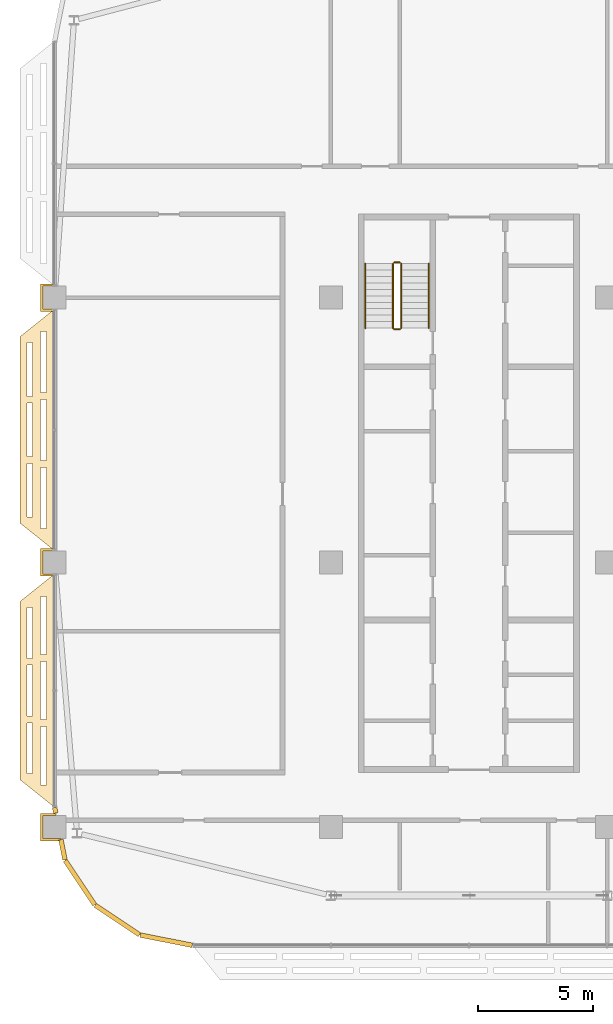
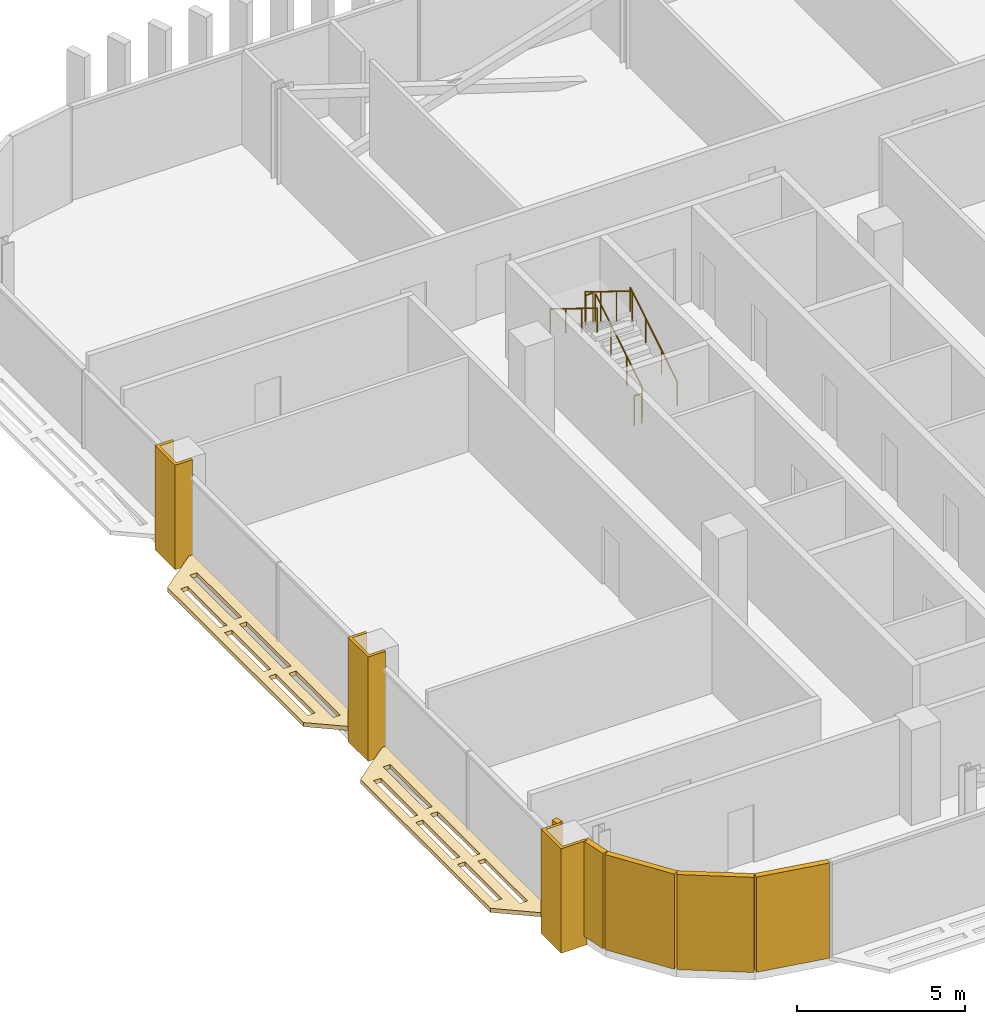
# One storey, part 26 of 32: 10 coverings, 6 railings.
"""IFC4 building model written with IfcOpenShell, lengths in metres."""

import ifcopenshell
import ifcopenshell.guid

model = None  # the IFC model being written
_history = None  # IfcOwnerHistory: only IFC2X3 demands one
_inside = {}  # id of a spatial element -> (the spatial element, [elements in it])
_under = {}  # id of a project, library or spatial element -> (it, [spatial elements below it])
_declared = {}  # id of a project -> (the project, [libraries it declares])
_typed = {}  # id of a type object -> (the type object, [elements of that type])
_made_of = {}  # id of a material, layer set ... -> (it, [elements and type objects made of it])


def new_model(schema):
    """Start an empty IFC model of exactly this schema.

    Asked for "IFC4X3", IfcOpenShell would pick the latest addendum, in which some entities
    have other attributes; the version numbers below select the first issue.
    IFC2X3 requires an IfcOwnerHistory on every rooted entity: one is made here for all.
    """
    global model, _history
    if schema == "IFC4X3":
        model = ifcopenshell.file(schema_version=(4, 3, 0, 0))
    else:
        model = ifcopenshell.file(schema=schema)
    _inside.clear()
    _under.clear()
    _declared.clear()
    _typed.clear()
    _made_of.clear()
    _history = None
    if model.schema == "IFC2X3":
        org = make("IfcOrganization", Name="unknown")
        user = make(
            "IfcPersonAndOrganization",
            ThePerson=make("IfcPerson", FamilyName="unknown"),
            TheOrganization=org,
        )
        app = make(
            "IfcApplication",
            ApplicationDeveloper=org,
            Version="unknown",
            ApplicationFullName="unknown",
            ApplicationIdentifier="unknown",
        )
        _history = make(
            "IfcOwnerHistory",
            OwningUser=user,
            OwningApplication=app,
            ChangeAction="ADDED",
            CreationDate=0,
        )
    return model


def make(cls, **values):
    """One entity of the class cls with the attributes given. An attribute that is None is left unset."""
    return model.create_entity(
        cls, **{name: value for name, value in values.items() if value is not None}
    )


def rooted(cls, **values):
    """An entity with a GlobalId (a new one), such as an element, a storey or a relation."""
    return make(cls, GlobalId=ifcopenshell.guid.new(), OwnerHistory=_history, **values)


def si_unit(unit_type, name, prefix=None):
    """IfcSIUnit, for example si_unit("LENGTHUNIT", "METRE", prefix="MILLI")."""
    return make("IfcSIUnit", UnitType=unit_type, Prefix=prefix, Name=name)


def assignment(units):
    """IfcUnitAssignment: the units of a project."""
    return None if units is None else make("IfcUnitAssignment", Units=units)


def point(xyz):
    """IfcCartesianPoint."""
    return None if xyz is None else make("IfcCartesianPoint", Coordinates=xyz)


def direction(xyz):
    """IfcDirection."""
    return None if xyz is None else make("IfcDirection", DirectionRatios=xyz)


def frame(location, z_axis=None, x_axis=None):
    """IfcAxis2Placement3D, a coordinate frame: its origin and axes. An axis left out is left unset."""
    return make(
        "IfcAxis2Placement3D",
        Location=point(location),
        Axis=direction(z_axis),
        RefDirection=direction(x_axis),
    )


def frame_2d(location, x_axis=None):
    """IfcAxis2Placement2D, a coordinate frame in the plane: its origin and x axis."""
    return make(
        "IfcAxis2Placement2D", Location=point(location), RefDirection=direction(x_axis)
    )


def origin():
    """The frame at (0, 0, 0) with its axes left unset."""
    return frame((0.0, 0.0, 0.0))


def origin_2d():
    """The frame at (0, 0) in the plane with its x axis left unset."""
    return frame_2d((0.0, 0.0))


def place(relative_to, where):
    """IfcLocalPlacement: puts the frame where relative to a parent placement (None: the world)."""
    return make(
        "IfcLocalPlacement", PlacementRelTo=relative_to, RelativePlacement=where
    )


def context(
    kind, dimensions, precision=None, world=None, true_north=None, identifier=None
):
    """IfcGeometricRepresentationContext, for example the 3D "Model" context."""
    return make(
        "IfcGeometricRepresentationContext",
        ContextIdentifier=identifier,
        ContextType=kind,
        CoordinateSpaceDimension=dimensions,
        Precision=precision,
        WorldCoordinateSystem=world,
        TrueNorth=true_north,
    )


def subcontext(parent, identifier, kind, view, scale=None):
    """IfcGeometricRepresentationSubContext, for example "Body" below "Model"."""
    return make(
        "IfcGeometricRepresentationSubContext",
        ContextIdentifier=identifier,
        ContextType=kind,
        ParentContext=parent,
        TargetScale=scale,
        TargetView=view,
    )


def project(units=None, contexts=None):
    """IfcProject with its units and contexts."""
    return rooted(
        "IfcProject",
        Name="project",
        RepresentationContexts=contexts,
        UnitsInContext=assignment(units),
    )


def spatial(cls, under=None, at=None, **own):
    """A site, building, storey or space (cls), placed at a placement, below another one or the project."""
    s = rooted(cls, ObjectPlacement=at, **own)
    if under is not None:
        _under.setdefault(under.id(), (under, []))[1].append(s)
    return s


def polyline(points):
    """IfcPolyline through the points."""
    return make("IfcPolyline", Points=[point(p) for p in points])


def profile(cls, at=None, kind="AREA", **sizes):
    """A parametric profile (cls). Its sizes go by their IFC names, for example OverallWidth=200.0."""
    return make(cls, ProfileType=kind, Position=at, **sizes)


def rectangle(**sizes):
    """IfcRectangleProfileDef."""
    return profile("IfcRectangleProfileDef", **sizes)


def circle(**sizes):
    """IfcCircleProfileDef."""
    return profile("IfcCircleProfileDef", **sizes)


def outline(outer, holes=None, kind="AREA"):
    """IfcArbitraryClosedProfileDef: a profile drawn as a closed curve; with holes, ...WithVoids."""
    if holes is None:
        return make("IfcArbitraryClosedProfileDef", ProfileType=kind, OuterCurve=outer)
    return make(
        "IfcArbitraryProfileDefWithVoids",
        ProfileType=kind,
        OuterCurve=outer,
        InnerCurves=holes,
    )


def extrude(swept, where, along, depth):
    """IfcExtrudedAreaSolid: the profile swept, set in the frame where, extruded along a direction by depth."""
    return make(
        "IfcExtrudedAreaSolid",
        SweptArea=swept,
        Position=where,
        ExtrudedDirection=direction(along),
        Depth=depth,
    )


def shape(context_of_items, identifier, shape_type, items):
    """IfcShapeRepresentation: the items that make up one representation, for example the "Body"."""
    return make(
        "IfcShapeRepresentation",
        ContextOfItems=context_of_items,
        RepresentationIdentifier=identifier,
        RepresentationType=shape_type,
        Items=items,
    )


def material(Name=None, Category=None):
    """IfcMaterial."""
    return make("IfcMaterial", Name=Name, Category=Category)


def layer(
    of_material, thickness, ventilated=None, Name=None, Category=None, Priority=None
):
    """IfcMaterialLayer: one layer of a wall or slab, of a material (None: an air gap)."""
    return make(
        "IfcMaterialLayer",
        Material=of_material,
        LayerThickness=thickness,
        IsVentilated=ventilated,
        Name=Name,
        Category=Category,
        Priority=Priority,
    )


def layer_set(layers, Name=None):
    """IfcMaterialLayerSet."""
    return make("IfcMaterialLayerSet", MaterialLayers=layers, LayerSetName=Name)


def made_of(thing, what):
    """Note that an element or type object is made of a material, layer set ...; save() writes the relation."""
    if what is not None:
        _made_of.setdefault(what.id(), (what, []))[1].append(thing)
    return thing


def type_object(cls, material=None, **own):
    """A type object (cls), such as IfcWallType, which elements share."""
    return made_of(rooted(cls, **own), material)


def element(
    cls,
    number,
    at=None,
    inside=None,
    cuts=None,
    type_object=None,
    material=None,
    context=None,
    identifier="Body",
    shape_type=None,
    held_by="IfcProductDefinitionShape",
    body=None,
    shapes=None,
    **own,
):
    """One element of the class cls, such as IfcWall. Its Tag is "e" and its number.

    at: its placement. inside: the storey or other place that contains it. cuts: it is an
    opening in that element (IfcRelVoidsElement). A single representation is given by context,
    identifier, shape_type and body (its items); several are given by shapes. held_by: the class
    of the entity that holds the representations. save() writes the other relations.
    """
    e = rooted(cls, Tag="e%d" % number, ObjectPlacement=at, **own)
    if body is not None:
        shapes = [shape(context, identifier, shape_type, body)]
    if shapes is not None:
        e.Representation = make(held_by, Representations=shapes)
    if inside is not None:
        _inside.setdefault(inside.id(), (inside, []))[1].append(e)
    if cuts is not None:
        rooted(
            "IfcRelVoidsElement", RelatingBuildingElement=cuts, RelatedOpeningElement=e
        )
    if type_object is not None:
        _typed.setdefault(type_object.id(), (type_object, []))[1].append(e)
    return made_of(e, material)


def aggregate(whole, parts):
    """IfcRelAggregates: a whole, such as a stair, and the parts it consists of."""
    return rooted("IfcRelAggregates", RelatingObject=whole, RelatedObjects=parts)


def save(model, path):
    """Write the relations noted so far, then the file.

    IfcRelAggregates (storeys below a building ...), IfcRelContainedInSpatialStructure (elements
    in a storey), IfcRelDefinesByType, IfcRelAssociatesMaterial and IfcRelDeclares: one each for
    every whole, place, type object, material and project.
    """
    for whole, parts in _under.values():
        aggregate(whole, parts)
    for where, things in _inside.values():
        rooted(
            "IfcRelContainedInSpatialStructure",
            RelatedElements=things,
            RelatingStructure=where,
        )
    for kind, things in _typed.values():
        rooted("IfcRelDefinesByType", RelatedObjects=things, RelatingType=kind)
    for what, things in _made_of.values():
        rooted("IfcRelAssociatesMaterial", RelatedObjects=things, RelatingMaterial=what)
    for by, libraries in _declared.values():
        rooted("IfcRelDeclares", RelatingContext=by, RelatedDefinitions=libraries)
    model.write(path)


model = new_model("IFC4")

# Units and contexts
model_context = context("Model", 3, precision=1e-05, world=origin(), true_north=direction((0.0, 1.0)))
body_context = subcontext(model_context, "Body", "Model", "MODEL_VIEW")
ifc_project = project(units=[si_unit("LENGTHUNIT", "METRE"), si_unit("AREAUNIT", "SQUARE_METRE"), si_unit("VOLUMEUNIT", "CUBIC_METRE"), si_unit("PLANEANGLEUNIT", "RADIAN"), si_unit("MASSUNIT", "GRAM", prefix="KILO")], contexts=[model_context])

# Site, building, storey
site_placement = place(None, origin())
site = spatial("IfcSite", under=ifc_project, at=site_placement, CompositionType="ELEMENT")
building_placement = place(site_placement, origin())
building = spatial("IfcBuilding", under=site, at=building_placement, Name="Mahtab Terrace Research Tower", CompositionType="ELEMENT")
storey_placement = place(building_placement, frame((0.0, 0.0, 232.39990234375)))
storey = spatial("IfcBuildingStorey", under=building, at=storey_placement, Name="L56", CompositionType="ELEMENT", Elevation=232.39990234375)

# Coverings
ifc_material_1 = material(Name="Black aluminium cladding panel", Category="aluminium")
ifc_layer_1 = layer(ifc_material_1, 0.199951171875)
ifc_layer_set_1 = layer_set([ifc_layer_1], Name="Black metal corner cladding 200")
covering_type_1 = type_object("IfcCoveringType", Name="Black metal corner cladding 200", PredefinedType="CLADDING", material=ifc_layer_set_1)
covering_1_placement = place(storey_placement, frame((-41.973876953125, -10.769775390625, 0.0), z_axis=(0.0, 0.0, 1.0), x_axis=(0.195212442692, -0.980760981187, 0.0)))
element("IfcCovering", 1, at=covering_1_placement, inside=storey, type_object=covering_type_1, Name="Corner cladding L56 11", PredefinedType="CLADDING", context=body_context, shape_type="SweptSolid", body=[
    extrude(rectangle(XDim=0.246337890625, YDim=0.199951171875, at=origin_2d()), origin(), (0.0, 0.0, 1.0), 3.4599609375),
])
covering_2_placement = place(storey_placement, frame((-41.633544921875, -12.479736328125, 0.0), z_axis=(0.0, 0.0, 1.0), x_axis=(0.195212442692, -0.980760981187, 0.0)))
element("IfcCovering", 2, at=covering_2_placement, inside=storey, type_object=covering_type_1, Name="Corner cladding L56 12", PredefinedType="CLADDING", context=body_context, shape_type="SweptSolid", body=[
    extrude(rectangle(XDim=0.888671875, YDim=0.199951171875, at=origin_2d()), origin(), (0.0, 0.0, 1.0), 3.4599609375),
])
for number, where, z_axis, x_axis, name in (
    (3, (-40.89306640625, -13.908447265625, 0.0), (0.0, 0.0, 1.0), (0.555291490808, -0.831655794326, 0.0), "Corner cladding L56 13"),
    (4, (-39.26953125, -15.531982421875, 0.0), (0.0, 0.0, 1.0), (0.831655794326, -0.555291490808, 0.0), "Corner cladding L56 14"),
    (5, (-37.14794921875, -16.410400390625, 0.0), (0.0, 0.0, 1.0), (0.980760981187, -0.195212442692, 0.0), "Corner cladding L56 15"),
):
    element("IfcCovering", number, at=place(storey_placement, frame(where, z_axis=z_axis, x_axis=x_axis)), inside=storey, type_object=covering_type_1, Name=name, PredefinedType="CLADDING", context=body_context, shape_type="SweptSolid", body=[
        extrude(rectangle(XDim=2.30126953125, YDim=0.199951171875, at=origin_2d()), origin(), (0.0, 0.0, 1.0), 3.4599609375),
    ])
ifc_material_2 = material(Name="Dark anodised aluminium cladding", Category="aluminium")
ifc_layer_2 = layer(ifc_material_2, 0.10009765625)
ifc_layer_set_2 = layer_set([ifc_layer_2], Name="Column casing 100")
covering_type_2 = type_object("IfcCoveringType", Name="Column casing 100", PredefinedType="CLADDING", material=ifc_layer_set_2)
covering_3_placement = place(storey_placement, frame((0.0, 0.0, -0.33984375)))
element("IfcCovering", 6, at=covering_3_placement, inside=storey, type_object=covering_type_2, Name="Column casing RC-1A L56", PredefinedType="CLADDING", context=body_context, shape_type="SweptSolid", body=[
    extrude(outline(polyline([(-42.60009765625, -10.89990234375), (-41.947998046875, -10.89990234375), (-41.927978515625, -11.0), (-42.5, -11.0), (-42.5, -12.0), (-41.72900390625, -12.0), (-41.708984375, -12.10009765625), (-42.60009765625, -12.10009765625), (-42.60009765625, -10.89990234375)])), origin(), (0.0, 0.0, 1.0), 3.800048828125),
])
covering_4_placement = place(storey_placement, frame((0.0, 0.0, -0.33984375)))
element("IfcCovering", 7, at=covering_4_placement, inside=storey, type_object=covering_type_2, Name="Column casing RC-1B L56", PredefinedType="CLADDING", context=body_context, shape_type="SweptSolid", body=[
    extrude(outline(polyline([(-42.60009765625, 0.60009765625), (-42.0, 0.60009765625), (-42.0, 0.5), (-42.5, 0.5), (-42.5, -0.5), (-42.0, -0.5), (-42.0, -0.60009765625), (-42.60009765625, -0.60009765625), (-42.60009765625, 0.60009765625)])), origin(), (0.0, 0.0, 1.0), 3.800048828125),
])
covering_5_placement = place(storey_placement, frame((0.0, 0.0, -0.33984375)))
element("IfcCovering", 8, at=covering_5_placement, inside=storey, type_object=covering_type_2, Name="Column casing RC-1C L56", PredefinedType="CLADDING", context=body_context, shape_type="SweptSolid", body=[
    extrude(outline(polyline([(-42.60009765625, 12.10009765625), (-42.0, 12.10009765625), (-42.0, 12.0), (-42.5, 12.0), (-42.5, 11.0), (-42.0, 11.0), (-42.0, 10.89990234375), (-42.60009765625, 10.89990234375), (-42.60009765625, 12.10009765625)])), origin(), (0.0, 0.0, 1.0), 3.800048828125),
])
ifc_material_3 = material(Name="Black anodised aluminium", Category="aluminium")
ifc_layer_3 = layer(ifc_material_3, 0.14990234375)
ifc_layer_set_3 = layer_set([ifc_layer_3], Name="Horizontal sunshade band")
covering_type_3 = type_object("IfcCoveringType", Name="Horizontal sunshade band", PredefinedType="CLADDING", material=ifc_layer_set_3)
covering_6_placement = place(storey_placement, frame((0.0, 0.0, -0.14990234375)))
element("IfcCovering", 9, at=covering_6_placement, inside=storey, type_object=covering_type_3, Name="Sunshade band L56 9", PredefinedType="CLADDING", context=body_context, shape_type="SweptSolid", body=[
    extrude(outline(polyline([(-42.0, 11.0), (-42.0, 0.5), (-43.5, 1.699951171875), (-43.5, 9.800048828125), (-42.0, 11.0)]), holes=[polyline([(-42.35009765625, 10.02001953125), (-42.35009765625, 7.373046875), (-42.60009765625, 7.373046875), (-42.60009765625, 10.02001953125), (-42.35009765625, 10.02001953125)]), polyline([(-42.35009765625, 7.072998046875), (-42.35009765625, 4.427001953125), (-42.60009765625, 4.427001953125), (-42.60009765625, 7.072998046875), (-42.35009765625, 7.072998046875)]), polyline([(-42.35009765625, 4.126953125), (-42.35009765625, 1.47998046875), (-42.60009765625, 1.47998046875), (-42.60009765625, 4.126953125), (-42.35009765625, 4.126953125)]), polyline([(-42.949951171875, 9.5400390625), (-42.949951171875, 7.212890625), (-43.199951171875, 7.212890625), (-43.199951171875, 9.5400390625), (-42.949951171875, 9.5400390625)]), polyline([(-42.949951171875, 6.9130859375), (-42.949951171875, 4.5869140625), (-43.199951171875, 4.5869140625), (-43.199951171875, 6.9130859375), (-42.949951171875, 6.9130859375)]), polyline([(-42.949951171875, 4.287109375), (-42.949951171875, 1.9599609375), (-43.199951171875, 1.9599609375), (-43.199951171875, 4.287109375), (-42.949951171875, 4.287109375)])]), origin(), (0.0, 0.0, 1.0), 0.14990234375),
])
covering_7_placement = place(storey_placement, frame((0.0, 0.0, -0.14990234375)))
element("IfcCovering", 10, at=covering_7_placement, inside=storey, type_object=covering_type_3, Name="Sunshade band L56 10", PredefinedType="CLADDING", context=body_context, shape_type="SweptSolid", body=[
    extrude(outline(polyline([(-42.0, -0.5), (-42.0, -10.638916015625), (-43.5, -9.43896484375), (-43.5, -1.699951171875), (-42.0, -0.5)]), holes=[polyline([(-42.35009765625, -1.47998046875), (-42.35009765625, -4.006103515625), (-42.60009765625, -4.006103515625), (-42.60009765625, -1.47998046875), (-42.35009765625, -1.47998046875)]), polyline([(-42.35009765625, -4.305908203125), (-42.35009765625, -6.8330078125), (-42.60009765625, -6.8330078125), (-42.60009765625, -4.305908203125), (-42.35009765625, -4.305908203125)]), polyline([(-42.35009765625, -7.133056640625), (-42.35009765625, -9.658935546875), (-42.60009765625, -9.658935546875), (-42.60009765625, -7.133056640625), (-42.35009765625, -7.133056640625)]), polyline([(-42.949951171875, -1.9599609375), (-42.949951171875, -4.166015625), (-43.199951171875, -4.166015625), (-43.199951171875, -1.9599609375), (-42.949951171875, -1.9599609375)]), polyline([(-42.949951171875, -4.466064453125), (-42.949951171875, -6.673095703125), (-43.199951171875, -6.673095703125), (-43.199951171875, -4.466064453125), (-42.949951171875, -4.466064453125)]), polyline([(-42.949951171875, -6.972900390625), (-42.949951171875, -9.178955078125), (-43.199951171875, -9.178955078125), (-43.199951171875, -6.972900390625), (-42.949951171875, -6.972900390625)])]), origin(), (0.0, 0.0, 1.0), 0.14990234375),
])

# Railings
ifc_material_4 = material(Name="Stainless steel AISI 304", Category="steel")
railing_type_1 = type_object("IfcRailingType", Name="Stair guard 1100", PredefinedType="GUARDRAIL", material=ifc_material_4)
railing_1_placement = place(storey_placement, frame((-26.949951171875, 10.175048828125, 0.1728515625)))
element("IfcRailing", 11, at=railing_1_placement, inside=storey, type_object=railing_type_1, Name="L56 ST1 stair guard 1", PredefinedType="GUARDRAIL", context=body_context, shape_type="SweptSolid", body=[
    extrude(circle(Radius=0.02392578125, at=origin_2d()), frame((0.0, 0.0, 1.076171875), z_axis=(0.0, 0.851089632645, 0.525020415988), x_axis=(-1.0, 0.0, 0.0)), (0.0, 0.0, 1.0), 3.2900390625),
    extrude(circle(Radius=0.02099609375, at=origin_2d()), origin(), (0.0, 0.0, 1.0), 1.052001953125),
    extrude(circle(Radius=0.02099609375, at=origin_2d()), frame((0.0, 0.933349609375, 0.57568359375)), (0.0, 0.0, 1.0), 1.052001953125),
    extrude(circle(Radius=0.02099609375, at=origin_2d()), frame((0.0, 1.86669921875, 1.151611328125)), (0.0, 0.0, 1.0), 1.052001953125),
    extrude(circle(Radius=0.02099609375, at=origin_2d()), frame((0.0, 2.800048828125, 1.727294921875)), (0.0, 0.0, 1.0), 1.052001953125),
])
railing_2_placement = place(storey_placement, frame((-27.0, 13.02490234375, 1.900146484375)))
element("IfcRailing", 12, at=railing_2_placement, inside=storey, type_object=railing_type_1, Name="L56 ST1 stair guard 2", PredefinedType="GUARDRAIL", context=body_context, shape_type="SweptSolid", body=[
    extrude(circle(Radius=0.02392578125, at=origin_2d()), frame((0.0, 0.0, 1.076171875), z_axis=(-1.0, 0.0, 0.0), x_axis=(0.0, -1.0, 0.0)), (0.0, 0.0, 1.0), 0.25),
    extrude(circle(Radius=0.02099609375, at=origin_2d()), origin(), (0.0, 0.0, 1.0), 1.052001953125),
    extrude(circle(Radius=0.02099609375, at=origin_2d()), frame((-0.25, 0.0, 0.0)), (0.0, 0.0, 1.0), 1.052001953125),
])
railing_3_placement = place(storey_placement, frame((-27.300048828125, 12.97509765625, 2.07275390625)))
element("IfcRailing", 13, at=railing_3_placement, inside=storey, type_object=railing_type_1, Name="L56 ST1 stair guard 3", PredefinedType="GUARDRAIL", context=body_context, shape_type="SweptSolid", body=[
    extrude(circle(Radius=0.02392578125, at=origin_2d()), frame((0.0, 0.0, 1.076171875), z_axis=(0.0, -0.851089632645, 0.525020415988), x_axis=(1.0, 0.0, 0.0)), (0.0, 0.0, 1.0), 3.2900390625),
    extrude(circle(Radius=0.02099609375, at=origin_2d()), origin(), (0.0, 0.0, 1.0), 1.052001953125),
    extrude(circle(Radius=0.02099609375, at=origin_2d()), frame((0.0, -0.933349609375, 0.57568359375)), (0.0, 0.0, 1.0), 1.052001953125),
    extrude(circle(Radius=0.02099609375, at=origin_2d()), frame((0.0, -1.86669921875, 1.151611328125)), (0.0, 0.0, 1.0), 1.052001953125),
    extrude(circle(Radius=0.02099609375, at=origin_2d()), frame((0.0, -2.800048828125, 1.727294921875)), (0.0, 0.0, 1.0), 1.052001953125),
])
railing_4_placement = place(storey_placement, frame((-27.0, 10.125, 0.0)))
element("IfcRailing", 14, at=railing_4_placement, inside=storey, type_object=railing_type_1, Name="L56 ST1 stair guard 4", PredefinedType="GUARDRAIL", context=body_context, shape_type="SweptSolid", body=[
    extrude(circle(Radius=0.02392578125, at=origin_2d()), frame((0.0, 0.0, 1.076171875), z_axis=(-1.0, 0.0, 0.0), x_axis=(0.0, -1.0, 0.0)), (0.0, 0.0, 1.0), 0.25),
    extrude(circle(Radius=0.02099609375, at=origin_2d()), origin(), (0.0, 0.0, 1.0), 1.052001953125),
    extrude(circle(Radius=0.02099609375, at=origin_2d()), frame((-0.25, 0.0, 0.0)), (0.0, 0.0, 1.0), 1.052001953125),
])
railing_type_2 = type_object("IfcRailingType", Name="Stair handrail 900", PredefinedType="HANDRAIL", material=ifc_material_4)
railing_5_placement = place(storey_placement, frame((-25.75, 10.175048828125, 0.1728515625)))
element("IfcRailing", 15, at=railing_5_placement, inside=storey, type_object=railing_type_2, Name="L56 ST1 stair handrail 1", PredefinedType="HANDRAIL", context=body_context, shape_type="SweptSolid", body=[
    extrude(circle(Radius=0.02392578125, at=origin_2d()), frame((0.0, 0.0, 0.8759765625), z_axis=(0.0, 0.851089632645, 0.525020415988), x_axis=(-1.0, 0.0, 0.0)), (0.0, 0.0, 1.0), 3.2900390625),
    extrude(circle(Radius=0.02099609375, at=origin_2d()), origin(), (0.0, 0.0, 1.0), 0.851806640625),
    extrude(circle(Radius=0.02099609375, at=origin_2d()), frame((0.0, 0.933349609375, 0.57568359375)), (0.0, 0.0, 1.0), 0.851806640625),
    extrude(circle(Radius=0.02099609375, at=origin_2d()), frame((0.0, 1.86669921875, 1.151611328125)), (0.0, 0.0, 1.0), 0.851806640625),
    extrude(circle(Radius=0.02099609375, at=origin_2d()), frame((0.0, 2.800048828125, 1.727294921875)), (0.0, 0.0, 1.0), 0.851806640625),
])
railing_6_placement = place(storey_placement, frame((-28.5, 12.97509765625, 2.07275390625)))
element("IfcRailing", 16, at=railing_6_placement, inside=storey, type_object=railing_type_2, Name="L56 ST1 stair handrail 2", PredefinedType="HANDRAIL", context=body_context, shape_type="SweptSolid", body=[
    extrude(circle(Radius=0.02392578125, at=origin_2d()), frame((0.0, 0.0, 0.8759765625), z_axis=(0.0, -0.851089632645, 0.525020415988), x_axis=(1.0, 0.0, 0.0)), (0.0, 0.0, 1.0), 3.2900390625),
    extrude(circle(Radius=0.02099609375, at=origin_2d()), origin(), (0.0, 0.0, 1.0), 0.851806640625),
    extrude(circle(Radius=0.02099609375, at=origin_2d()), frame((0.0, -0.933349609375, 0.57568359375)), (0.0, 0.0, 1.0), 0.851806640625),
    extrude(circle(Radius=0.02099609375, at=origin_2d()), frame((0.0, -1.86669921875, 1.151611328125)), (0.0, 0.0, 1.0), 0.851806640625),
    extrude(circle(Radius=0.02099609375, at=origin_2d()), frame((0.0, -2.800048828125, 1.727294921875)), (0.0, 0.0, 1.0), 0.851806640625),
])

save(model, "model.ifc")
